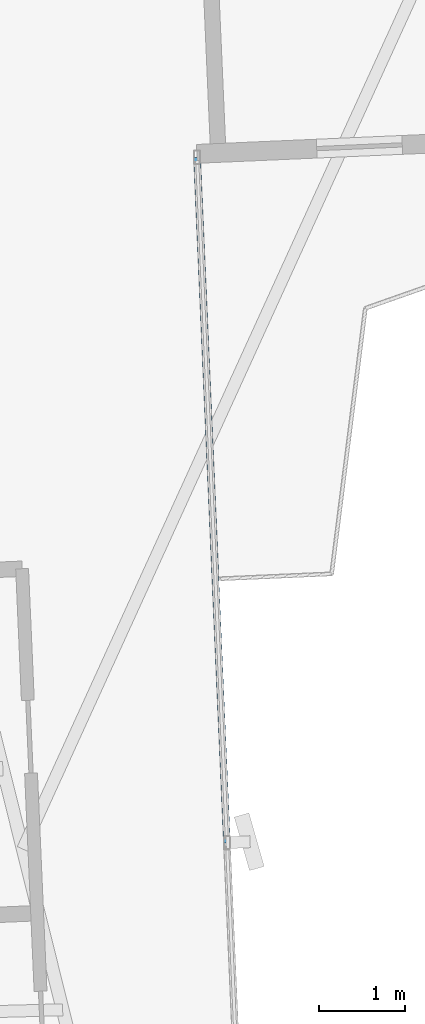
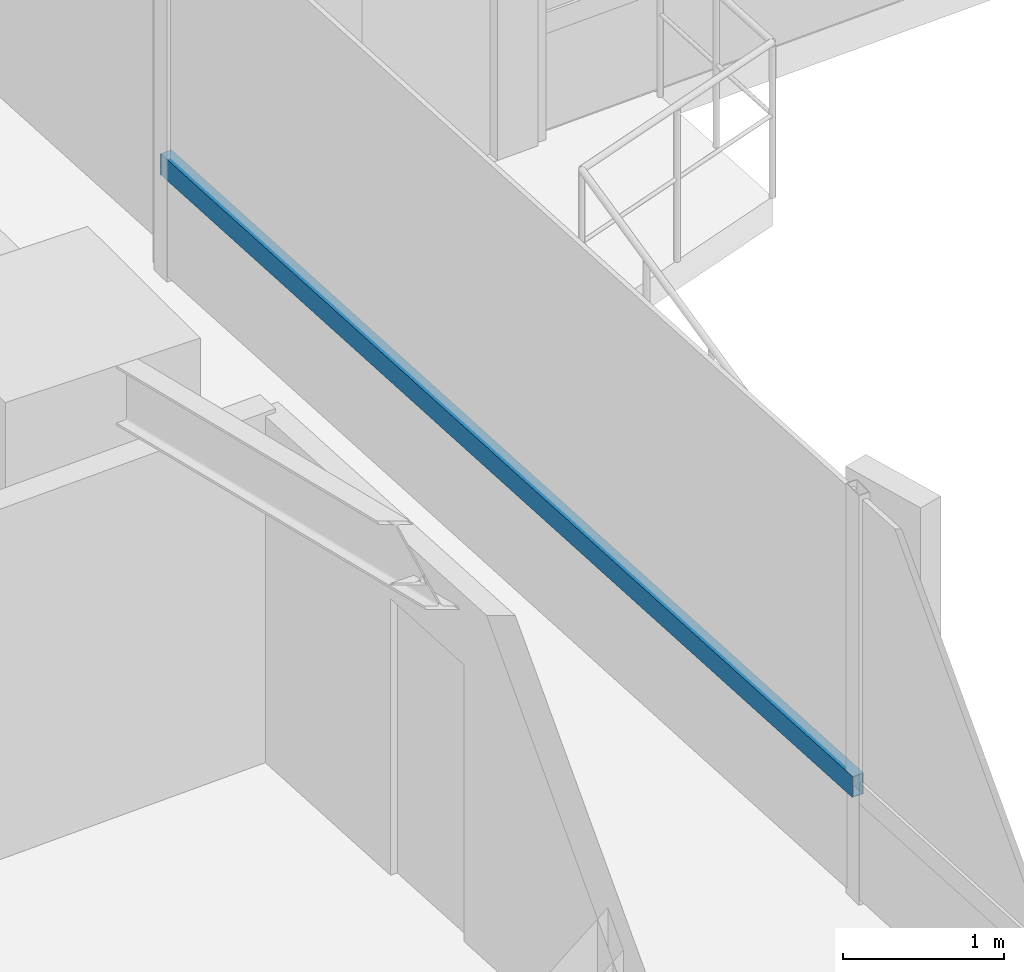
# One storey, part 7 of 27: 1 member, 1 element without a shape of its own.
"""IFC4 building model written with IfcOpenShell, lengths in metres."""

from ifc_helpers import new_model, si_unit, direction, frame, origin, origin_2d, place, context, subcontext, project, spatial, hollow_rectangle, extrude, source, transform, mapped, material, material_profile, profile_set, type_object, element, aggregate, save


model = new_model("IFC4")

# Units and contexts
model_context = context("Model", 3, precision=1e-05, world=origin(), true_north=direction((0.0, 1.0)))
body_context = subcontext(model_context, "Body", "Model", "MODEL_VIEW")
ifc_project = project(units=[si_unit("LENGTHUNIT", "METRE"), si_unit("AREAUNIT", "SQUARE_METRE"), si_unit("VOLUMEUNIT", "CUBIC_METRE"), si_unit("PLANEANGLEUNIT", "RADIAN"), si_unit("MASSUNIT", "GRAM", prefix="KILO")], contexts=[model_context])

# Site, building, storey
site_placement = place(None, origin())
site = spatial("IfcSite", under=ifc_project, at=site_placement, CompositionType="ELEMENT")
building_placement = place(site_placement, origin())
building = spatial("IfcBuilding", under=site, at=building_placement, Name="Sahyath Konkavel Grand Hotel", CompositionType="ELEMENT")
storey_placement = place(building_placement, frame((0.0, 0.0, 90.199951171875)))
storey = spatial("IfcBuildingStorey", under=building, at=storey_placement, Name="L24", CompositionType="ELEMENT", Elevation=90.199951171875)

# Curtain wall, member
ifc_material_1 = material(Name="Anodised Bronze Aluminium & Low-E Glazing", Category="aluminium")
curtain_wall_type = type_object("IfcCurtainWallType", Name="CW-ZONE2", PredefinedType="NOTDEFINED", material=ifc_material_1)
curtain_wall_placement = place(storey_placement, origin())
curtain_wall = element("IfcCurtainWall", 1, at=curtain_wall_placement, inside=storey, type_object=curtain_wall_type, Name="L24 Unitised Curtain Wall F31", PredefinedType="NOTDEFINED")
ifc_material_2 = material(Name="Anodised Bronze Aluminium", Category="aluminium")
ifc_material_profile = material_profile(ifc_material_2, hollow_rectangle(XDim=0.080078125, YDim=0.159912109375, WallThickness=0.006103515625, at=origin_2d()), Name="RHS 160x80x6")
ifc_profile_set = profile_set([ifc_material_profile], Name="Anodised Bronze Aluminium")
member_type = type_object("IfcMemberType", Name="CW-TRN-160", PredefinedType="USERDEFINED", material=ifc_profile_set)
shared_shape = source(origin(), body_context, "Body", "SweptSolid", [
    extrude(hollow_rectangle(XDim=0.080078125, YDim=0.159912109375, WallThickness=0.006103515625, at=origin_2d()), origin(), (0.0, 0.0, 1.0), 8.010009765625),
])
member_placement = place(storey_placement, frame((7.232666015625, -14.34814453125, 0.85009765625), z_axis=(-0.043615785896, 0.999048378819, 0.0), x_axis=(-0.999048378819, -0.043615785896, 0.0)))
member = element("IfcMember", 2, at=member_placement, type_object=member_type, Name="L24 Curtain Wall Transom F31-1-spandrel", ObjectType="TRANSOM", PredefinedType="USERDEFINED", context=body_context, shape_type="MappedRepresentation", body=[
    mapped(shared_shape, transform((0.0, 0.0, 0.0), scale=1.0)),
])
aggregate(curtain_wall, [member])

save(model, "model.ifc")
